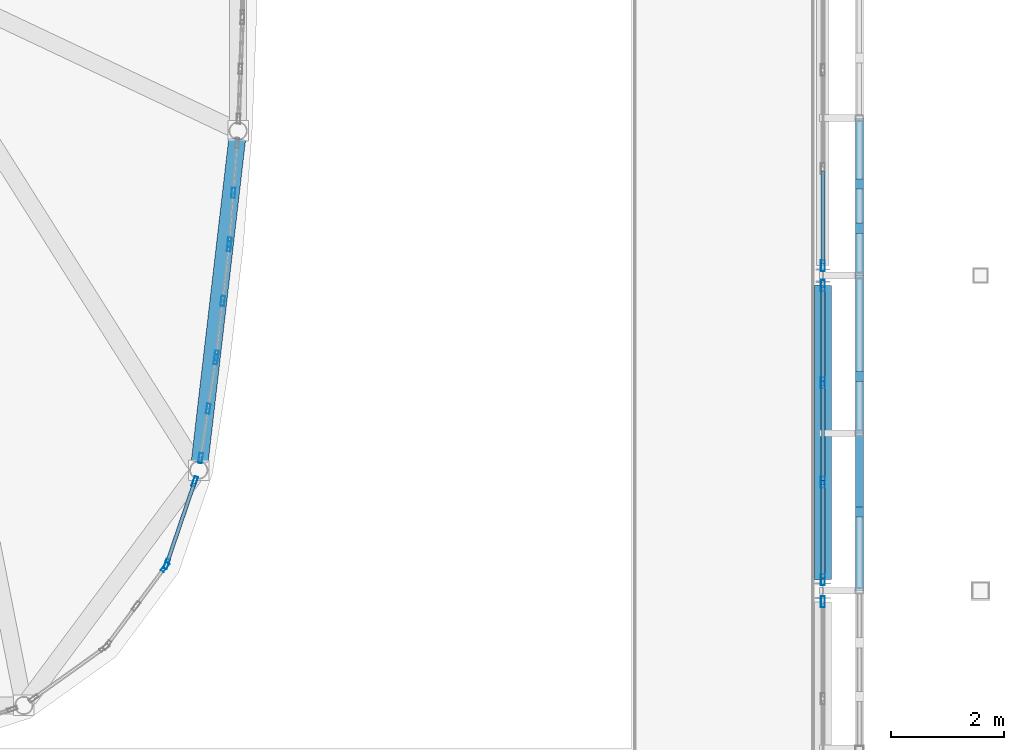
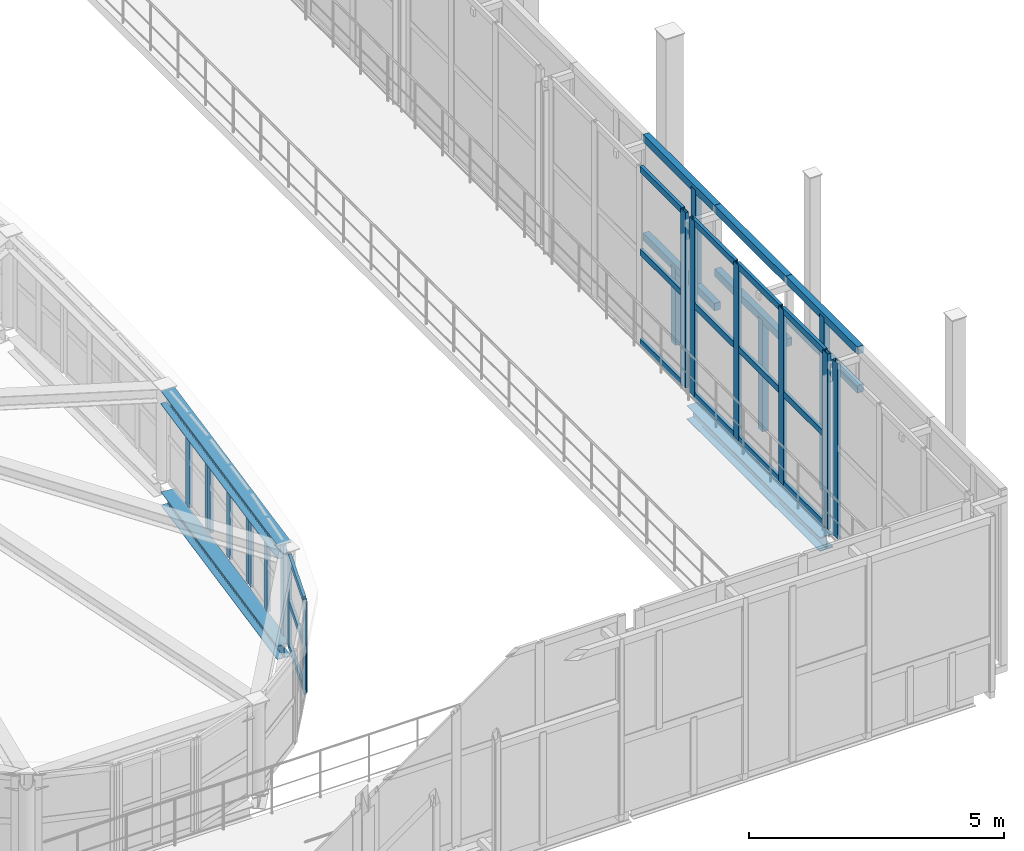
# One storey, part 26 of 78: 42 members, 3 beams, 8 elements without a shape of their own.
"""IFC4 building model written with IfcOpenShell, lengths in metres."""

from ifc_helpers import new_model, si_unit, direction, frame, origin, origin_2d, place, context, subcontext, project, spatial, rectangle, hollow_rectangle, i_section, extrude, material, layer, layer_set, material_profile, profile_set, type_object, element, aggregate, save


model = new_model("IFC4")

# Units and contexts
model_context = context("Model", 3, precision=1e-05, world=origin(), true_north=direction((0.0, 1.0)))
body_context = subcontext(model_context, "Body", "Model", "MODEL_VIEW")
ifc_project = project(units=[si_unit("LENGTHUNIT", "METRE"), si_unit("AREAUNIT", "SQUARE_METRE"), si_unit("VOLUMEUNIT", "CUBIC_METRE"), si_unit("PLANEANGLEUNIT", "RADIAN"), si_unit("MASSUNIT", "GRAM", prefix="KILO")], contexts=[model_context])

# Site, building, storey
site_placement = place(None, origin())
site = spatial("IfcSite", under=ifc_project, at=site_placement, CompositionType="ELEMENT")
building_placement = place(site_placement, origin())
building = spatial("IfcBuilding", under=site, at=building_placement, Name="Vinh Khe Railworks Police Headquarters", CompositionType="ELEMENT")
storey_placement = place(building_placement, frame((0.0, 0.0, 13.199951171875)))
storey = spatial("IfcBuildingStorey", under=building, at=storey_placement, Name="L03", CompositionType="ELEMENT", Elevation=13.199951171875)

# Members
ifc_material_1 = material(Name="Salvaged ironwood timber", Category="wood")
ifc_material_profile_1 = material_profile(ifc_material_1, rectangle(XDim=0.139892578125, YDim=0.179931640625, at=origin_2d()), Name="TIMBER 140x180")
ifc_profile_set_1 = profile_set([ifc_material_profile_1], Name="Salvaged ironwood timber")
member_type_1 = type_object("IfcMemberType", Name="MEM-QUILT-STILE", PredefinedType="CHORD", material=ifc_profile_set_1)
for number, where, z_axis, x_axis, name in (
    (1, (60.64990234375, 30.800048828125, 4.1201171875), (0.0, 1.0, 0.0), (-1.0, 0.0, 0.0), "Salvaged Timber Quilt Transom E-L03-02-TOP"),
    (2, (60.64990234375, 30.800048828125, 3.192138671875), (0.0, 1.0, 0.0), (-1.0, 0.0, 0.0), "Salvaged Timber Quilt Transom E-L03-02-M1"),
):
    element("IfcMember", number, at=place(storey_placement, frame(where, z_axis=z_axis, x_axis=x_axis)), inside=storey, type_object=member_type_1, Name=name, PredefinedType="CHORD", context=body_context, shape_type="SweptSolid", body=[
        extrude(rectangle(XDim=0.139892578125, YDim=0.179931640625, at=origin_2d()), origin(), (0.0, 0.0, 1.0), 2.800048828125),
    ])
member_1_placement = place(storey_placement, frame((60.64990234375, 32.199951171875, -0.079833984375), z_axis=(0.0, 0.0, 1.0), x_axis=(1.0, 0.0, 0.0)))
element("IfcMember", 3, at=member_1_placement, inside=storey, type_object=member_type_1, Name="Salvaged Timber Quilt Stile E-L03-02-V1", PredefinedType="POST", context=body_context, shape_type="SweptSolid", body=[
    extrude(rectangle(XDim=0.139892578125, YDim=0.179931640625, at=origin_2d()), origin(), (0.0, 0.0, 1.0), 4.199951171875),
])
for number, where, z_axis, x_axis, name in (
    (4, (60.64990234375, 33.60009765625, 4.1201171875), (0.0, 1.0, 0.0), (-1.0, 0.0, 0.0), "Salvaged Timber Quilt Transom E-L03-03-TOP"),
    (5, (60.64990234375, 33.60009765625, 2.60400390625), (0.0, 1.0, 0.0), (-1.0, 0.0, 0.0), "Salvaged Timber Quilt Transom E-L03-03-M1"),
):
    element("IfcMember", number, at=place(storey_placement, frame(where, z_axis=z_axis, x_axis=x_axis)), inside=storey, type_object=member_type_1, Name=name, PredefinedType="CHORD", context=body_context, shape_type="SweptSolid", body=[
        extrude(rectangle(XDim=0.139892578125, YDim=0.179931640625, at=origin_2d()), origin(), (0.0, 0.0, 1.0), 2.7998046875),
    ])
member_2_placement = place(storey_placement, frame((60.64990234375, 34.60791015625, -0.079833984375), z_axis=(0.0, 0.0, 1.0), x_axis=(1.0, 0.0, 0.0)))
element("IfcMember", 6, at=member_2_placement, inside=storey, type_object=member_type_1, Name="Salvaged Timber Quilt Stile E-L03-03-V1", PredefinedType="POST", context=body_context, shape_type="SweptSolid", body=[
    extrude(rectangle(XDim=0.139892578125, YDim=0.179931640625, at=origin_2d()), origin(), (0.0, 0.0, 1.0), 2.683837890625),
])
for number, where, z_axis, x_axis, name in (
    (7, (60.64990234375, 36.39990234375, 4.1201171875), (0.0, 1.0, 0.0), (-1.0, 0.0, 0.0), "Salvaged Timber Quilt Transom E-L03-04-TOP"),
    (8, (60.64990234375, 36.39990234375, 1.76416015625), (0.0, 1.0, 0.0), (-1.0, 0.0, 0.0), "Salvaged Timber Quilt Transom E-L03-04-M1"),
):
    element("IfcMember", number, at=place(storey_placement, frame(where, z_axis=z_axis, x_axis=x_axis)), inside=storey, type_object=member_type_1, Name=name, PredefinedType="CHORD", context=body_context, shape_type="SweptSolid", body=[
        extrude(rectangle(XDim=0.139892578125, YDim=0.179931640625, at=origin_2d()), origin(), (0.0, 0.0, 1.0), 2.800048828125),
    ])
member_3_placement = place(storey_placement, frame((60.64990234375, 38.02392578125, -0.079833984375), z_axis=(0.0, 0.0, 1.0), x_axis=(1.0, 0.0, 0.0)))
element("IfcMember", 9, at=member_3_placement, inside=storey, type_object=member_type_1, Name="Salvaged Timber Quilt Stile E-L03-04-V1", PredefinedType="POST", context=body_context, shape_type="SweptSolid", body=[
    extrude(rectangle(XDim=0.139892578125, YDim=0.179931640625, at=origin_2d()), origin(), (0.0, 0.0, 1.0), 1.843994140625),
])
member_4_placement = place(storey_placement, frame((60.64990234375, 37.239990234375, 1.76416015625), z_axis=(0.0, 0.0, 1.0), x_axis=(1.0, 0.0, 0.0)))
element("IfcMember", 10, at=member_4_placement, inside=storey, type_object=member_type_1, Name="Salvaged Timber Quilt Stile E-L03-04-V2", PredefinedType="POST", context=body_context, shape_type="SweptSolid", body=[
    extrude(rectangle(XDim=0.139892578125, YDim=0.179931640625, at=origin_2d()), origin(), (0.0, 0.0, 1.0), 2.35595703125),
])

# Curtain wall, members
ifc_material_2 = material(Name="Anodised aluminium and acoustic laminated glass", Category="aluminium")
ifc_layer_1 = layer(ifc_material_2, 0.159912109375)
ifc_layer_set_1 = layer_set([ifc_layer_1], Name="Anodised aluminium and acoustic laminated glass")
curtain_wall_type_1 = type_object("IfcCurtainWallType", Name="CW-DRUM-CHORD", PredefinedType="USERDEFINED", material=ifc_layer_set_1)
curtain_wall_1_placement = place(storey_placement, origin())
curtain_wall_1 = element("IfcCurtainWall", 11, at=curtain_wall_1_placement, inside=storey, type_object=curtain_wall_type_1, Name="Elliptical Command Drum Glazing L03 Chord 1", ObjectType="DRUM FACADE GLAZING", PredefinedType="USERDEFINED")
ifc_material_3 = material(Name="Anodised aluminium 6063-T6", Category="aluminium")
ifc_material_profile_2 = material_profile(ifc_material_3, hollow_rectangle(XDim=0.06494140625, YDim=0.179931640625, WallThickness=0.0048828125, at=origin_2d()), Name="CW-M 65x180x5")
ifc_profile_set_2 = profile_set([ifc_material_profile_2], Name="Anodised aluminium 6063-T6")
member_type_2 = type_object("IfcMemberType", Name="MULL-CWM-02", PredefinedType="MULLION", material=ifc_profile_set_2)
member_5_placement = place(storey_placement, frame((48.946044921875, 33.156005859375, 0.0), z_axis=(0.0, 0.0, 1.0), x_axis=(-0.988150371063, 0.153488905684, 0.0)))
member_5 = element("IfcMember", 12, at=member_5_placement, type_object=member_type_2, Name="CW-02 mullion 1", PredefinedType="MULLION", context=body_context, shape_type="SweptSolid", body=[
    extrude(hollow_rectangle(XDim=0.06494140625, YDim=0.179931640625, WallThickness=0.0048828125, at=origin_2d()), origin(), (0.0, 0.0, 1.0), 2.179931640625),
])
member_6_placement = place(storey_placement, frame((49.082275390625, 34.033203125, 0.0), z_axis=(0.0, 0.0, 1.0), x_axis=(-0.988150371063, 0.153488905684, 0.0)))
member_6 = element("IfcMember", 13, at=member_6_placement, type_object=member_type_2, Name="CW-02 mullion 2", PredefinedType="MULLION", context=body_context, shape_type="SweptSolid", body=[
    extrude(hollow_rectangle(XDim=0.06494140625, YDim=0.179931640625, WallThickness=0.0048828125, at=origin_2d()), origin(), (0.0, 0.0, 1.0), 2.179931640625),
])
member_7_placement = place(storey_placement, frame((49.218505859375, 34.910400390625, 0.0), z_axis=(0.0, 0.0, 1.0), x_axis=(-0.988150371063, 0.153488905684, 0.0)))
member_7 = element("IfcMember", 14, at=member_7_placement, type_object=member_type_2, Name="CW-02 mullion 3", PredefinedType="MULLION", context=body_context, shape_type="SweptSolid", body=[
    extrude(hollow_rectangle(XDim=0.06494140625, YDim=0.179931640625, WallThickness=0.0048828125, at=origin_2d()), origin(), (0.0, 0.0, 1.0), 2.179931640625),
])
aggregate(curtain_wall_1, [member_5, member_6, member_7])

curtain_wall_2_placement = place(storey_placement, origin())
curtain_wall_2 = element("IfcCurtainWall", 15, at=curtain_wall_2_placement, inside=storey, type_object=curtain_wall_type_1, Name="Elliptical Command Drum Glazing L03 Chord 2", ObjectType="DRUM FACADE GLAZING", PredefinedType="USERDEFINED")
member_8_placement = place(storey_placement, frame((49.227294921875, 34.974853515625, 0.0), z_axis=(0.0, 0.0, 1.0), x_axis=(-0.993328656296, 0.115317737498, 0.0)))
member_8 = element("IfcMember", 16, at=member_8_placement, type_object=member_type_2, Name="CW-02 mullion 1", PredefinedType="MULLION", context=body_context, shape_type="SweptSolid", body=[
    extrude(hollow_rectangle(XDim=0.06494140625, YDim=0.179931640625, WallThickness=0.0048828125, at=origin_2d()), origin(), (0.0, 0.0, 1.0), 2.179931640625),
])
member_9_placement = place(storey_placement, frame((49.340087890625, 35.947021484375, 0.0), z_axis=(0.0, 0.0, 1.0), x_axis=(-0.993328656296, 0.115317737498, 0.0)))
member_9 = element("IfcMember", 17, at=member_9_placement, type_object=member_type_2, Name="CW-02 mullion 2", PredefinedType="MULLION", context=body_context, shape_type="SweptSolid", body=[
    extrude(hollow_rectangle(XDim=0.06494140625, YDim=0.179931640625, WallThickness=0.0048828125, at=origin_2d()), origin(), (0.0, 0.0, 1.0), 2.179931640625),
])
member_10_placement = place(storey_placement, frame((49.452880859375, 36.919189453125, 0.0), z_axis=(0.0, 0.0, 1.0), x_axis=(-0.993328656296, 0.115317737498, 0.0)))
member_10 = element("IfcMember", 18, at=member_10_placement, type_object=member_type_2, Name="CW-02 mullion 3", PredefinedType="MULLION", context=body_context, shape_type="SweptSolid", body=[
    extrude(hollow_rectangle(XDim=0.06494140625, YDim=0.179931640625, WallThickness=0.0048828125, at=origin_2d()), origin(), (0.0, 0.0, 1.0), 2.179931640625),
])
aggregate(curtain_wall_2, [member_8, member_9, member_10])

curtain_wall_3_placement = place(storey_placement, origin())
curtain_wall_3 = element("IfcCurtainWall", 19, at=curtain_wall_3_placement, inside=storey, type_object=curtain_wall_type_1, Name="Elliptical Command Drum Glazing L03 Chord 3", ObjectType="DRUM FACADE GLAZING", PredefinedType="USERDEFINED")
member_11_placement = place(storey_placement, frame((49.459228515625, 36.98388671875, 0.0), z_axis=(0.0, 0.0, 1.0), x_axis=(-0.997033481847, 0.076969059213, 0.0)))
member_11 = element("IfcMember", 20, at=member_11_placement, type_object=member_type_2, Name="CW-02 mullion 1", PredefinedType="MULLION", context=body_context, shape_type="SweptSolid", body=[
    extrude(hollow_rectangle(XDim=0.06494140625, YDim=0.179931640625, WallThickness=0.0048828125, at=origin_2d()), origin(), (0.0, 0.0, 1.0), 2.179931640625),
])
member_12_placement = place(storey_placement, frame((49.527587890625, 37.868896484375, 0.0), z_axis=(0.0, 0.0, 1.0), x_axis=(-0.997033481847, 0.076969059213, 0.0)))
member_12 = element("IfcMember", 21, at=member_12_placement, type_object=member_type_2, Name="CW-02 mullion 2", PredefinedType="MULLION", context=body_context, shape_type="SweptSolid", body=[
    extrude(hollow_rectangle(XDim=0.06494140625, YDim=0.179931640625, WallThickness=0.0048828125, at=origin_2d()), origin(), (0.0, 0.0, 1.0), 2.179931640625),
])
aggregate(curtain_wall_3, [member_11, member_12])

# Curtain wall, member
curtain_wall_4_placement = place(storey_placement, origin())
curtain_wall_4 = element("IfcCurtainWall", 22, at=curtain_wall_4_placement, inside=storey, type_object=curtain_wall_type_1, Name="Elliptical Command Drum Glazing L03 Chord 35", ObjectType="DRUM FACADE GLAZING", PredefinedType="USERDEFINED")
member_13_placement = place(storey_placement, frame((48.314697265625, 31.22021484375, 0.0), z_axis=(0.0, 0.0, 1.0), x_axis=(-0.802591949394, 0.596528425784, 0.0)))
member_13 = element("IfcMember", 23, at=member_13_placement, type_object=member_type_2, Name="CW-02 mullion 3", PredefinedType="MULLION", context=body_context, shape_type="SweptSolid", body=[
    extrude(hollow_rectangle(XDim=0.06494140625, YDim=0.179931640625, WallThickness=0.0048828125, at=origin_2d()), origin(), (0.0, 0.0, 1.0), 2.179931640625),
])
aggregate(curtain_wall_4, [member_13])

# Curtain wall, members
curtain_wall_5_placement = place(storey_placement, origin())
curtain_wall_5 = element("IfcCurtainWall", 24, at=curtain_wall_5_placement, inside=storey, type_object=curtain_wall_type_1, Name="Elliptical Command Drum Glazing L03 Chord 36", ObjectType="DRUM FACADE GLAZING", PredefinedType="USERDEFINED")
member_14_placement = place(storey_placement, frame((48.344482421875, 31.27685546875, 0.0), z_axis=(0.0, 0.0, 1.0), x_axis=(-0.946484607162, 0.322748955701, 0.0)))
member_14 = element("IfcMember", 25, at=member_14_placement, type_object=member_type_2, Name="CW-02 mullion 1", PredefinedType="MULLION", context=body_context, shape_type="SweptSolid", body=[
    extrude(hollow_rectangle(XDim=0.06494140625, YDim=0.179931640625, WallThickness=0.0048828125, at=origin_2d()), origin(), (0.0, 0.0, 1.0), 2.179931640625),
])
member_15_placement = place(storey_placement, frame((48.84375, 32.7412109375, 0.0), z_axis=(0.0, 0.0, 1.0), x_axis=(-0.946484607162, 0.322748955701, 0.0)))
member_15 = element("IfcMember", 26, at=member_15_placement, type_object=member_type_2, Name="CW-02 mullion 2", PredefinedType="MULLION", context=body_context, shape_type="SweptSolid", body=[
    extrude(hollow_rectangle(XDim=0.06494140625, YDim=0.179931640625, WallThickness=0.0048828125, at=origin_2d()), origin(), (0.0, 0.0, 1.0), 2.179931640625),
])

# Curtain wall, member
ifc_material_4 = material(Name="Anodised aluminium and low-iron glass", Category="aluminium")
ifc_layer_2 = layer(ifc_material_4, 0.179931640625)
ifc_layer_set_2 = layer_set([ifc_layer_2], Name="Anodised aluminium and low-iron glass")
curtain_wall_type_2 = type_object("IfcCurtainWallType", Name="CW-CUBE-UNIT", PredefinedType="USERDEFINED", material=ifc_layer_set_2)
curtain_wall_6_placement = place(storey_placement, origin())
curtain_wall_6 = element("IfcCurtainWall", 27, at=curtain_wall_6_placement, inside=storey, type_object=curtain_wall_type_2, Name="Entrance Hall Curtain Wall L03 E-1", ObjectType="UNITISED GLAZING", PredefinedType="USERDEFINED")
ifc_material_profile_3 = material_profile(ifc_material_3, hollow_rectangle(XDim=0.070068359375, YDim=0.199951171875, WallThickness=0.0048828125, at=origin_2d()), Name="CW-M 70x200x5")
ifc_profile_set_3 = profile_set([ifc_material_profile_3], Name="Anodised aluminium 6063-T6")
member_type_3 = type_object("IfcMemberType", Name="MULL-CWM-03", PredefinedType="MULLION", material=ifc_profile_set_3)
member_16_placement = place(storey_placement, frame((60.0, 30.60498046875, 0.0), z_axis=(0.0, 0.0, 1.0), x_axis=(-1.0, 0.0, 0.0)))
member_16 = element("IfcMember", 28, at=member_16_placement, type_object=member_type_3, Name="CW-01 mullion 4", PredefinedType="MULLION", context=body_context, shape_type="SweptSolid", body=[
    extrude(hollow_rectangle(XDim=0.070068359375, YDim=0.199951171875, WallThickness=0.0048828125, at=origin_2d()), origin(), (0.0, 0.0, 1.0), 4.199951171875),
])
aggregate(curtain_wall_6, [member_16])

# Curtain wall, members
curtain_wall_7_placement = place(storey_placement, origin())
curtain_wall_7 = element("IfcCurtainWall", 29, at=curtain_wall_7_placement, inside=storey, type_object=curtain_wall_type_2, Name="Entrance Hall Curtain Wall L03 E-2", ObjectType="UNITISED GLAZING", PredefinedType="USERDEFINED")
member_17_placement = place(storey_placement, frame((60.0, 30.9951171875, 0.0), z_axis=(0.0, 0.0, 1.0), x_axis=(-1.0, 0.0, 0.0)))
member_17 = element("IfcMember", 30, at=member_17_placement, type_object=member_type_3, Name="CW-01 mullion 1", PredefinedType="MULLION", context=body_context, shape_type="SweptSolid", body=[
    extrude(hollow_rectangle(XDim=0.070068359375, YDim=0.199951171875, WallThickness=0.0048828125, at=origin_2d()), origin(), (0.0, 0.0, 1.0), 4.199951171875),
])
member_18_placement = place(storey_placement, frame((60.0, 32.7265625, 0.0), z_axis=(0.0, 0.0, 1.0), x_axis=(-1.0, 0.0, 0.0)))
member_18 = element("IfcMember", 31, at=member_18_placement, type_object=member_type_3, Name="CW-01 mullion 2", PredefinedType="MULLION", context=body_context, shape_type="SweptSolid", body=[
    extrude(hollow_rectangle(XDim=0.070068359375, YDim=0.199951171875, WallThickness=0.0048828125, at=origin_2d()), origin(), (0.0, 0.0, 1.0), 4.199951171875),
])
member_19_placement = place(storey_placement, frame((60.0, 34.493408203125, 0.0), z_axis=(0.0, 0.0, 1.0), x_axis=(-1.0, 0.0, 0.0)))
member_19 = element("IfcMember", 32, at=member_19_placement, type_object=member_type_3, Name="CW-01 mullion 3", PredefinedType="MULLION", context=body_context, shape_type="SweptSolid", body=[
    extrude(hollow_rectangle(XDim=0.070068359375, YDim=0.199951171875, WallThickness=0.0048828125, at=origin_2d()), origin(), (0.0, 0.0, 1.0), 4.199951171875),
])
member_20_placement = place(storey_placement, frame((60.0, 36.22509765625, 0.0), z_axis=(0.0, 0.0, 1.0), x_axis=(-1.0, 0.0, 0.0)))
member_20 = element("IfcMember", 33, at=member_20_placement, type_object=member_type_3, Name="CW-01 mullion 4", PredefinedType="MULLION", context=body_context, shape_type="SweptSolid", body=[
    extrude(hollow_rectangle(XDim=0.070068359375, YDim=0.199951171875, WallThickness=0.0048828125, at=origin_2d()), origin(), (0.0, 0.0, 1.0), 4.199951171875),
])

# Curtain wall, member
curtain_wall_8_placement = place(storey_placement, origin())
curtain_wall_8 = element("IfcCurtainWall", 34, at=curtain_wall_8_placement, inside=storey, type_object=curtain_wall_type_2, Name="Entrance Hall Curtain Wall L03 E-3", ObjectType="UNITISED GLAZING", PredefinedType="USERDEFINED")
member_21_placement = place(storey_placement, frame((60.0, 36.574951171875, 0.0), z_axis=(0.0, 0.0, 1.0), x_axis=(-1.0, 0.0, 0.0)))
member_21 = element("IfcMember", 35, at=member_21_placement, type_object=member_type_3, Name="CW-01 mullion 1", PredefinedType="MULLION", context=body_context, shape_type="SweptSolid", body=[
    extrude(hollow_rectangle(XDim=0.070068359375, YDim=0.199951171875, WallThickness=0.0048828125, at=origin_2d()), origin(), (0.0, 0.0, 1.0), 4.199951171875),
])

# Beams
ifc_material_5 = material(Name="Steel S355JR", Category="steel")
ifc_material_profile_4 = material_profile(ifc_material_5, i_section(OverallWidth=0.300048828125, OverallDepth=0.330078125, WebThickness=0.009521484375, FlangeThickness=0.0166015625, FilletRadius=0.027099609375, at=origin_2d()), Name="HEA 340")
ifc_profile_set_4 = profile_set([ifc_material_profile_4], Name="Steel S355JR")
beam_type = type_object("IfcBeamType", Name="Steel Girder HEA 340", PredefinedType="BEAM", material=ifc_profile_set_4)
beam_1_placement = place(storey_placement, frame((60.0, 31.0, -0.385009765625), z_axis=(0.0, 1.0, 0.0), x_axis=(-1.0, 0.0, 0.0)))
element("IfcBeam", 36, at=beam_1_placement, inside=storey, type_object=beam_type, Name="Girder BM-L03-NS-SB-16-1220", PredefinedType="BEAM", context=body_context, shape_type="SweptSolid", body=[
    extrude(i_section(OverallWidth=0.300048828125, OverallDepth=0.330078125, WebThickness=0.009521484375, FlangeThickness=0.0166015625, FilletRadius=0.027099609375, at=origin_2d()), origin(), (0.0, 0.0, 1.0), 5.22509765625),
])
beam_2_placement = place(storey_placement, frame((48.931396484375, 33.100830078125, -0.385009765625), z_axis=(0.115301092257, 0.993330588538, 0.0), x_axis=(-0.993330588538, 0.115301092257, 0.0)))
element("IfcBeam", 37, at=beam_2_placement, inside=storey, type_object=beam_type, Name="Drum Ring Girder BM-L03-DRUM-SB-16-1276", PredefinedType="BEAM", context=body_context, shape_type="SweptSolid", body=[
    extrude(i_section(OverallWidth=0.300048828125, OverallDepth=0.330078125, WebThickness=0.009521484375, FlangeThickness=0.0166015625, FilletRadius=0.027099609375, at=origin_2d()), origin(), (0.0, 0.0, 1.0), 5.748779296875),
])
beam_3_placement = place(storey_placement, frame((48.929443359375, 33.085205078125, 2.03515625), z_axis=(0.115307025533, 0.993329899813, 0.0), x_axis=(-0.993329899813, 0.115307025533, 0.0)))
element("IfcBeam", 38, at=beam_3_placement, inside=storey, type_object=beam_type, Name="Drum Ring Girder BM-L03-DRUM-SB-16-1482", PredefinedType="BEAM", context=body_context, shape_type="SweptSolid", body=[
    extrude(i_section(OverallWidth=0.300048828125, OverallDepth=0.330078125, WebThickness=0.009521484375, FlangeThickness=0.0166015625, FilletRadius=0.027099609375, at=origin_2d()), origin(), (0.0, 0.0, 1.0), 5.7802734375),
])

# Member
ifc_material_profile_5 = material_profile(ifc_material_3, hollow_rectangle(XDim=0.06494140625, YDim=0.139892578125, WallThickness=0.00390625, at=origin_2d()), Name="CW-T 65x140x4")
ifc_profile_set_5 = profile_set([ifc_material_profile_5], Name="Anodised aluminium 6063-T6")
member_type_4 = type_object("IfcMemberType", Name="TRAN-CWT-02", PredefinedType="USERDEFINED", material=ifc_profile_set_5)
member_22_placement = place(storey_placement, frame((48.35498046875, 31.3076171875, 0.032470703125), z_axis=(0.322694051316, 0.946503327646, 0.0), x_axis=(-0.946503327646, 0.322694051316, 0.0)))
member_22 = element("IfcMember", 39, at=member_22_placement, type_object=member_type_4, Name="CW-02 transom 1.1", ObjectType="TRANSOM", PredefinedType="USERDEFINED", context=body_context, shape_type="SweptSolid", body=[
    extrude(hollow_rectangle(XDim=0.06494140625, YDim=0.139892578125, WallThickness=0.00390625, at=origin_2d()), origin(), (0.0, 0.0, 1.0), 1.482177734375),
])

member_23_placement = place(storey_placement, frame((48.35498046875, 31.3076171875, 1.090087890625), z_axis=(0.322694051316, 0.946503327646, 0.0), x_axis=(-0.946503327646, 0.322694051316, 0.0)))
member_23 = element("IfcMember", 40, at=member_23_placement, type_object=member_type_4, Name="CW-02 transom 1.2", ObjectType="TRANSOM", PredefinedType="USERDEFINED", context=body_context, shape_type="SweptSolid", body=[
    extrude(hollow_rectangle(XDim=0.06494140625, YDim=0.139892578125, WallThickness=0.00390625, at=origin_2d()), origin(), (0.0, 0.0, 1.0), 1.482177734375),
])

member_24_placement = place(storey_placement, frame((48.35498046875, 31.3076171875, 2.1474609375), z_axis=(0.322694051316, 0.946503327646, 0.0), x_axis=(-0.946503327646, 0.322694051316, 0.0)))
member_24 = element("IfcMember", 41, at=member_24_placement, type_object=member_type_4, Name="CW-02 transom 1.3", ObjectType="TRANSOM", PredefinedType="USERDEFINED", context=body_context, shape_type="SweptSolid", body=[
    extrude(hollow_rectangle(XDim=0.06494140625, YDim=0.139892578125, WallThickness=0.00390625, at=origin_2d()), origin(), (0.0, 0.0, 1.0), 1.482177734375),
])

aggregate(curtain_wall_5, [member_14, member_15, member_22, member_23, member_24])

ifc_material_profile_6 = material_profile(ifc_material_3, hollow_rectangle(XDim=0.070068359375, YDim=0.14990234375, WallThickness=0.0048828125, at=origin_2d()), Name="CW-T 70x150x5")
ifc_profile_set_6 = profile_set([ifc_material_profile_6], Name="Anodised aluminium 6063-T6")
member_type_5 = type_object("IfcMemberType", Name="TRAN-CWT-03", PredefinedType="USERDEFINED", material=ifc_profile_set_6)
member_25_placement = place(storey_placement, frame((60.0, 31.030029296875, 0.03515625), z_axis=(0.0, 1.0, 0.0), x_axis=(-1.0, 0.0, 0.0)))
member_25 = element("IfcMember", 42, at=member_25_placement, type_object=member_type_5, Name="CW-01 transom 1.1", ObjectType="TRANSOM", PredefinedType="USERDEFINED", context=body_context, shape_type="SweptSolid", body=[
    extrude(hollow_rectangle(XDim=0.070068359375, YDim=0.14990234375, WallThickness=0.0048828125, at=origin_2d()), origin(), (0.0, 0.0, 1.0), 1.66162109375),
])

member_26_placement = place(storey_placement, frame((60.0, 31.030029296875, 2.18408203125), z_axis=(0.0, 1.0, 0.0), x_axis=(-1.0, 0.0, 0.0)))
member_26 = element("IfcMember", 43, at=member_26_placement, type_object=member_type_5, Name="CW-01 transom 1.2", ObjectType="TRANSOM", PredefinedType="USERDEFINED", context=body_context, shape_type="SweptSolid", body=[
    extrude(hollow_rectangle(XDim=0.070068359375, YDim=0.14990234375, WallThickness=0.0048828125, at=origin_2d()), origin(), (0.0, 0.0, 1.0), 1.66162109375),
])

member_27_placement = place(storey_placement, frame((60.0, 31.030029296875, 4.1650390625), z_axis=(0.0, 1.0, 0.0), x_axis=(-1.0, 0.0, 0.0)))
member_27 = element("IfcMember", 44, at=member_27_placement, type_object=member_type_5, Name="CW-01 transom 1.3", ObjectType="TRANSOM", PredefinedType="USERDEFINED", context=body_context, shape_type="SweptSolid", body=[
    extrude(hollow_rectangle(XDim=0.070068359375, YDim=0.14990234375, WallThickness=0.0048828125, at=origin_2d()), origin(), (0.0, 0.0, 1.0), 1.66162109375),
])

member_28_placement = place(storey_placement, frame((60.0, 32.76171875, 0.03515625), z_axis=(0.0, 1.0, 0.0), x_axis=(-1.0, 0.0, 0.0)))
member_28 = element("IfcMember", 45, at=member_28_placement, type_object=member_type_5, Name="CW-01 transom 2.1", ObjectType="TRANSOM", PredefinedType="USERDEFINED", context=body_context, shape_type="SweptSolid", body=[
    extrude(hollow_rectangle(XDim=0.070068359375, YDim=0.14990234375, WallThickness=0.0048828125, at=origin_2d()), origin(), (0.0, 0.0, 1.0), 1.696533203125),
])

member_29_placement = place(storey_placement, frame((60.0, 32.76171875, 2.18408203125), z_axis=(0.0, 1.0, 0.0), x_axis=(-1.0, 0.0, 0.0)))
member_29 = element("IfcMember", 46, at=member_29_placement, type_object=member_type_5, Name="CW-01 transom 2.2", ObjectType="TRANSOM", PredefinedType="USERDEFINED", context=body_context, shape_type="SweptSolid", body=[
    extrude(hollow_rectangle(XDim=0.070068359375, YDim=0.14990234375, WallThickness=0.0048828125, at=origin_2d()), origin(), (0.0, 0.0, 1.0), 1.696533203125),
])

member_30_placement = place(storey_placement, frame((60.0, 32.76171875, 4.1650390625), z_axis=(0.0, 1.0, 0.0), x_axis=(-1.0, 0.0, 0.0)))
member_30 = element("IfcMember", 47, at=member_30_placement, type_object=member_type_5, Name="CW-01 transom 2.3", ObjectType="TRANSOM", PredefinedType="USERDEFINED", context=body_context, shape_type="SweptSolid", body=[
    extrude(hollow_rectangle(XDim=0.070068359375, YDim=0.14990234375, WallThickness=0.0048828125, at=origin_2d()), origin(), (0.0, 0.0, 1.0), 1.696533203125),
])

member_31_placement = place(storey_placement, frame((60.0, 34.5283203125, 0.03515625), z_axis=(0.0, 1.0, 0.0), x_axis=(-1.0, 0.0, 0.0)))
member_31 = element("IfcMember", 48, at=member_31_placement, type_object=member_type_5, Name="CW-01 transom 3.1", ObjectType="TRANSOM", PredefinedType="USERDEFINED", context=body_context, shape_type="SweptSolid", body=[
    extrude(hollow_rectangle(XDim=0.070068359375, YDim=0.14990234375, WallThickness=0.0048828125, at=origin_2d()), origin(), (0.0, 0.0, 1.0), 1.66162109375),
])

member_32_placement = place(storey_placement, frame((60.0, 34.5283203125, 2.18408203125), z_axis=(0.0, 1.0, 0.0), x_axis=(-1.0, 0.0, 0.0)))
member_32 = element("IfcMember", 49, at=member_32_placement, type_object=member_type_5, Name="CW-01 transom 3.2", ObjectType="TRANSOM", PredefinedType="USERDEFINED", context=body_context, shape_type="SweptSolid", body=[
    extrude(hollow_rectangle(XDim=0.070068359375, YDim=0.14990234375, WallThickness=0.0048828125, at=origin_2d()), origin(), (0.0, 0.0, 1.0), 1.66162109375),
])

member_33_placement = place(storey_placement, frame((60.0, 34.5283203125, 4.1650390625), z_axis=(0.0, 1.0, 0.0), x_axis=(-1.0, 0.0, 0.0)))
member_33 = element("IfcMember", 50, at=member_33_placement, type_object=member_type_5, Name="CW-01 transom 3.3", ObjectType="TRANSOM", PredefinedType="USERDEFINED", context=body_context, shape_type="SweptSolid", body=[
    extrude(hollow_rectangle(XDim=0.070068359375, YDim=0.14990234375, WallThickness=0.0048828125, at=origin_2d()), origin(), (0.0, 0.0, 1.0), 1.66162109375),
])

aggregate(curtain_wall_7, [member_17, member_18, member_19, member_20, member_25, member_26, member_27, member_28, member_29, member_30, member_31, member_32, member_33])

member_34_placement = place(storey_placement, frame((60.0, 36.610107421875, 0.03515625), z_axis=(0.0, 1.0, 0.0), x_axis=(-1.0, 0.0, 0.0)))
member_34 = element("IfcMember", 51, at=member_34_placement, type_object=member_type_5, Name="CW-01 transom 1.1", ObjectType="TRANSOM", PredefinedType="USERDEFINED", context=body_context, shape_type="SweptSolid", body=[
    extrude(hollow_rectangle(XDim=0.070068359375, YDim=0.14990234375, WallThickness=0.0048828125, at=origin_2d()), origin(), (0.0, 0.0, 1.0), 1.64990234375),
])

member_35_placement = place(storey_placement, frame((60.0, 36.610107421875, 2.18408203125), z_axis=(0.0, 1.0, 0.0), x_axis=(-1.0, 0.0, 0.0)))
member_35 = element("IfcMember", 52, at=member_35_placement, type_object=member_type_5, Name="CW-01 transom 1.2", ObjectType="TRANSOM", PredefinedType="USERDEFINED", context=body_context, shape_type="SweptSolid", body=[
    extrude(hollow_rectangle(XDim=0.070068359375, YDim=0.14990234375, WallThickness=0.0048828125, at=origin_2d()), origin(), (0.0, 0.0, 1.0), 1.64990234375),
])

member_36_placement = place(storey_placement, frame((60.0, 36.610107421875, 4.1650390625), z_axis=(0.0, 1.0, 0.0), x_axis=(-1.0, 0.0, 0.0)))
member_36 = element("IfcMember", 53, at=member_36_placement, type_object=member_type_5, Name="CW-01 transom 1.3", ObjectType="TRANSOM", PredefinedType="USERDEFINED", context=body_context, shape_type="SweptSolid", body=[
    extrude(hollow_rectangle(XDim=0.070068359375, YDim=0.14990234375, WallThickness=0.0048828125, at=origin_2d()), origin(), (0.0, 0.0, 1.0), 1.64990234375),
])

aggregate(curtain_wall_8, [member_21, member_34, member_35, member_36])

save(model, "model.ifc")
